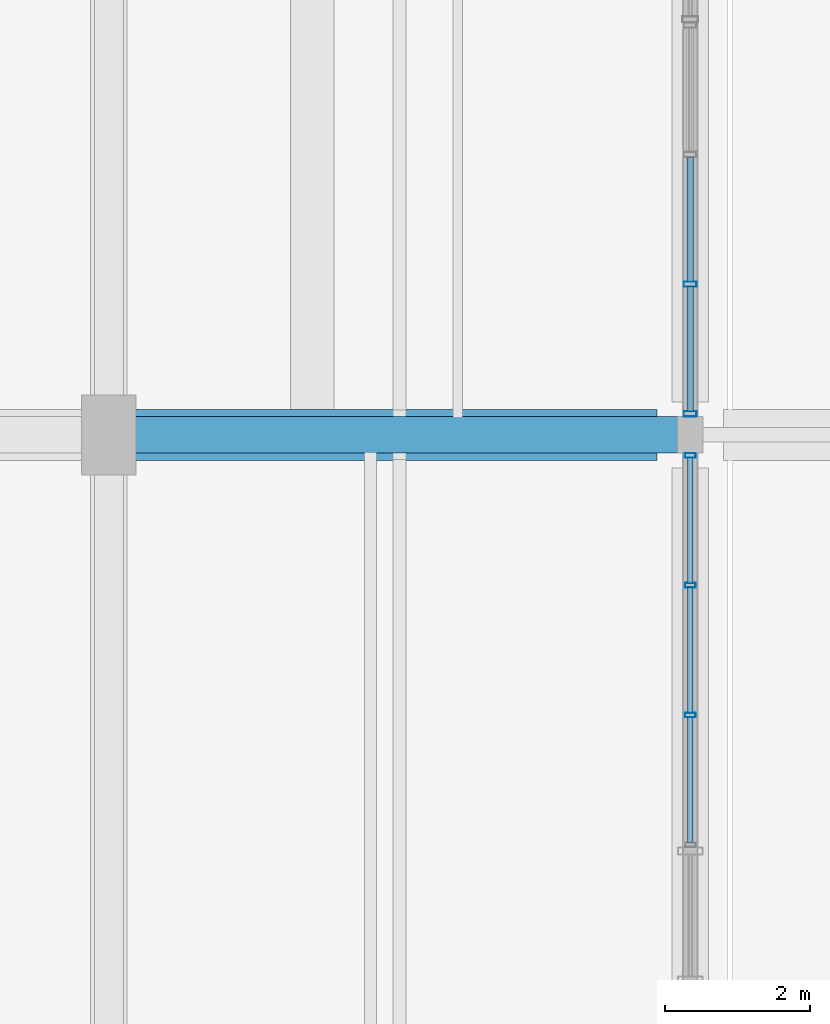
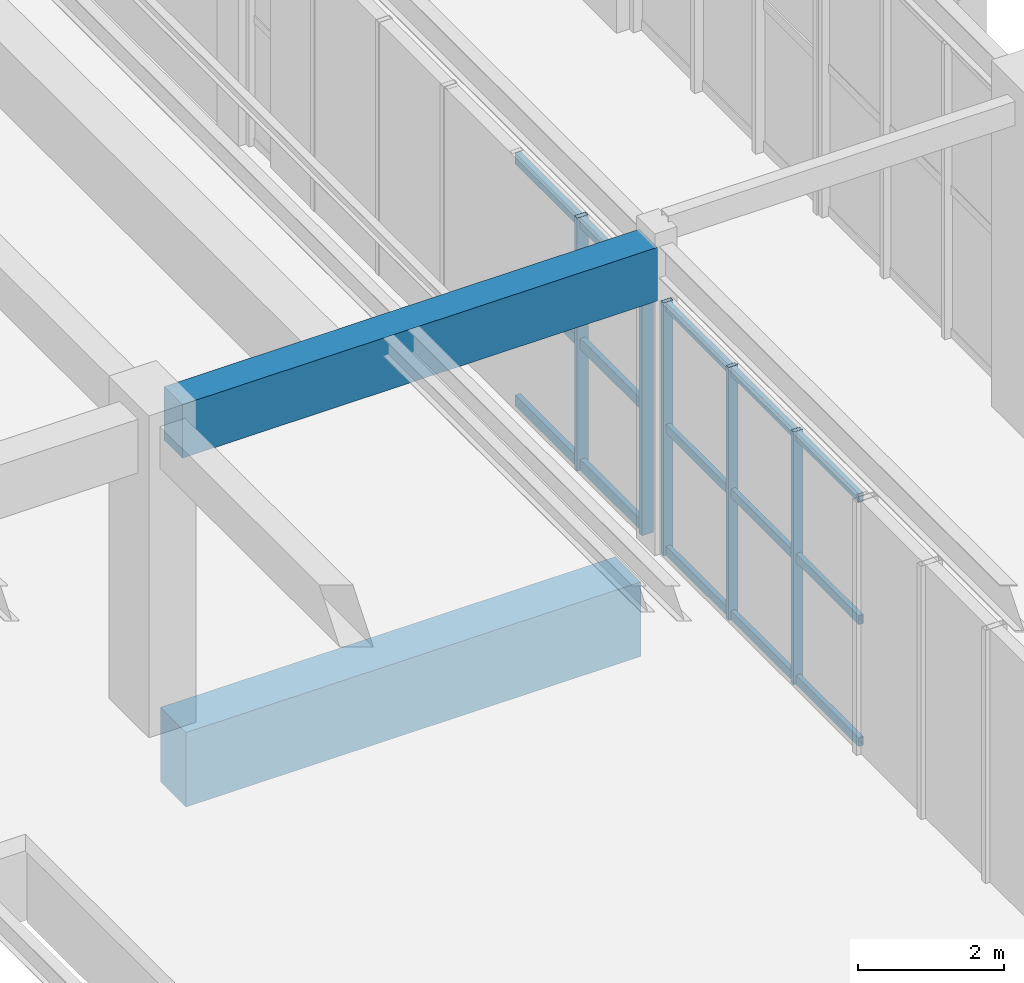
# One storey, part 49 of 113: 20 members, 2 beams, 2 elements without a shape of their own.
"""IFC4 building model written with IfcOpenShell, lengths in metres."""

from ifc_helpers import new_model, si_unit, direction, frame, origin, origin_2d, place, context, subcontext, project, spatial, rectangle, hollow_rectangle, extrude, material, layer, layer_set, material_profile, profile_set, type_object, element, aggregate, save


model = new_model("IFC4")

# Units and contexts
model_context = context("Model", 3, precision=1e-05, world=origin(), true_north=direction((0.0, 1.0)))
body_context = subcontext(model_context, "Body", "Model", "MODEL_VIEW")
ifc_project = project(units=[si_unit("LENGTHUNIT", "METRE"), si_unit("AREAUNIT", "SQUARE_METRE"), si_unit("VOLUMEUNIT", "CUBIC_METRE"), si_unit("PLANEANGLEUNIT", "RADIAN"), si_unit("MASSUNIT", "GRAM", prefix="KILO"), si_unit("POWERUNIT", "WATT"), si_unit("THERMODYNAMICTEMPERATUREUNIT", "KELVIN")], contexts=[model_context])

# Site, building, storey
site_placement = place(None, origin())
site = spatial("IfcSite", under=ifc_project, at=site_placement, CompositionType="ELEMENT")
building_placement = place(site_placement, origin())
building = spatial("IfcBuilding", under=site, at=building_placement, Name="Kelmbourne Parkland Aquatics Centre", CompositionType="ELEMENT")
storey_placement = place(building_placement, origin())
storey = spatial("IfcBuildingStorey", under=building, at=storey_placement, Name="L00", CompositionType="ELEMENT", Elevation=0.0)

# Beams
ifc_material_1 = material(Name="Concrete C40/50", Category="concrete")
ifc_material_profile_1 = material_profile(ifc_material_1, rectangle(XDim=0.5, YDim=0.89990234375, at=origin_2d()), Name="RC 500x900")
ifc_profile_set_1 = profile_set([ifc_material_profile_1], Name="Concrete C40/50")
beam_type_1 = type_object("IfcBeamType", Name="BM-G03", PredefinedType="BEAM", material=ifc_profile_set_1)
beam_1_placement = place(storey_placement, frame((32.330078125, 69.199951171875, 4.7099609375), z_axis=(1.0, 0.0, 0.0), x_axis=(0.0, 1.0, 0.0)))
element("IfcBeam", 1, at=beam_1_placement, inside=storey, type_object=beam_type_1, Name="Primary girder E-F Grid 10 (L01)", PredefinedType="BEAM", context=body_context, shape_type="SweptSolid", body=[
    extrude(rectangle(XDim=0.5, YDim=0.89990234375, at=origin_2d()), origin(), (0.0, 0.0, 1.0), 7.5400390625),
])
ifc_material_2 = material(Name="Concrete C50/60", Category="concrete")
ifc_material_profile_2 = material_profile(ifc_material_2, rectangle(XDim=0.699951171875, YDim=1.25, at=origin_2d()), Name="RC 700x1250")
ifc_profile_set_2 = profile_set([ifc_material_profile_2], Name="Concrete C50/60")
beam_type_2 = type_object("IfcBeamType", Name="BM-G08", PredefinedType="BEAM", material=ifc_profile_set_2)
beam_2_placement = place(storey_placement, frame((32.330078125, 69.199951171875, -0.905029296875), z_axis=(1.0, 0.0, 0.0), x_axis=(0.0, 1.0, 0.0)))
element("IfcBeam", 2, at=beam_2_placement, inside=storey, type_object=beam_type_2, Name="Primary girder E-F Grid 10 (L00)", PredefinedType="BEAM", context=body_context, shape_type="SweptSolid", body=[
    extrude(rectangle(XDim=0.699951171875, YDim=1.25, at=origin_2d()), origin(), (0.0, 0.0, 1.0), 7.21484375),
])

# Curtain wall, members
ifc_material_3 = material(Name="Thermally broken anodised aluminium framing", Category="aluminium")
ifc_layer_1 = layer(ifc_material_3, 0.179931640625)
ifc_layer_set_1 = layer_set([ifc_layer_1], Name="Thermally broken anodised aluminium framing")
curtain_wall_type_1 = type_object("IfcCurtainWallType", Name="CW-04", PredefinedType="NOTDEFINED", material=ifc_layer_set_1)
curtain_wall_1_placement = place(storey_placement, origin())
curtain_wall_1 = element("IfcCurtainWall", 3, at=curtain_wall_1_placement, inside=storey, type_object=curtain_wall_type_1, Name="Facade curtain wall CW-L00-220", PredefinedType="NOTDEFINED")
ifc_material_profile_3 = material_profile(ifc_material_3, hollow_rectangle(XDim=0.06494140625, YDim=0.14990234375, WallThickness=0.00390625, at=origin_2d()), Name="CW-M 65x150")
ifc_profile_set_3 = profile_set([ifc_material_profile_3], Name="Thermally broken anodised aluminium framing")
member_type_1 = type_object("IfcMemberType", Name="MB-MUL-1", PredefinedType="MULLION", material=ifc_profile_set_3)
member_1_placement = place(storey_placement, frame((40.0, 65.343505859375, 0.0), z_axis=(0.0, 0.0, 1.0), x_axis=(0.0, 1.0, 0.0)))
member_1 = element("IfcMember", 4, at=member_1_placement, type_object=member_type_1, Name="CW-L00-220 mullion 1", PredefinedType="MULLION", context=body_context, shape_type="SweptSolid", body=[
    extrude(hollow_rectangle(XDim=0.06494140625, YDim=0.14990234375, WallThickness=0.00390625, at=origin_2d()), origin(), (0.0, 0.0, 1.0), 4.2451171875),
])
member_2_placement = place(storey_placement, frame((40.0, 67.12939453125, 0.0), z_axis=(0.0, 0.0, 1.0), x_axis=(0.0, 1.0, 0.0)))
member_2 = element("IfcMember", 5, at=member_2_placement, type_object=member_type_1, Name="CW-L00-220 mullion 2", PredefinedType="MULLION", context=body_context, shape_type="SweptSolid", body=[
    extrude(hollow_rectangle(XDim=0.06494140625, YDim=0.14990234375, WallThickness=0.00390625, at=origin_2d()), origin(), (0.0, 0.0, 1.0), 4.2451171875),
])
member_3_placement = place(storey_placement, frame((40.0, 68.91552734375, 0.0), z_axis=(0.0, 0.0, 1.0), x_axis=(0.0, 1.0, 0.0)))
member_3 = element("IfcMember", 6, at=member_3_placement, type_object=member_type_1, Name="CW-L00-220 mullion 3", PredefinedType="MULLION", context=body_context, shape_type="SweptSolid", body=[
    extrude(hollow_rectangle(XDim=0.06494140625, YDim=0.14990234375, WallThickness=0.00390625, at=origin_2d()), origin(), (0.0, 0.0, 1.0), 4.2451171875),
])

ifc_layer_2 = layer(ifc_material_3, 0.179931640625)
ifc_layer_set_2 = layer_set([ifc_layer_2], Name="Thermally broken anodised aluminium framing")
curtain_wall_type_2 = type_object("IfcCurtainWallType", Name="CW-05", PredefinedType="NOTDEFINED", material=ifc_layer_set_2)
curtain_wall_2_placement = place(storey_placement, origin())
curtain_wall_2 = element("IfcCurtainWall", 7, at=curtain_wall_2_placement, inside=storey, type_object=curtain_wall_type_2, Name="Facade curtain wall CW-L00-221", PredefinedType="NOTDEFINED")
ifc_material_profile_4 = material_profile(ifc_material_3, hollow_rectangle(XDim=0.074951171875, YDim=0.179931640625, WallThickness=0.00439453125, at=origin_2d()), Name="CW-M 75x180")
ifc_profile_set_4 = profile_set([ifc_material_profile_4], Name="Thermally broken anodised aluminium framing")
member_type_2 = type_object("IfcMemberType", Name="MB-MUL-2", PredefinedType="MULLION", material=ifc_profile_set_4)
member_4_placement = place(storey_placement, frame((40.0, 69.489501953125, 0.0), z_axis=(0.0, 0.0, 1.0), x_axis=(0.0, 1.0, 0.0)))
member_4 = element("IfcMember", 8, at=member_4_placement, type_object=member_type_2, Name="CW-L00-221 mullion 0", PredefinedType="MULLION", context=body_context, shape_type="SweptSolid", body=[
    extrude(hollow_rectangle(XDim=0.074951171875, YDim=0.179931640625, WallThickness=0.00439453125, at=origin_2d()), origin(), (0.0, 0.0, 1.0), 4.2451171875),
])
member_5_placement = place(storey_placement, frame((40.0, 71.272216796875, 0.0), z_axis=(0.0, 0.0, 1.0), x_axis=(0.0, 1.0, 0.0)))
member_5 = element("IfcMember", 9, at=member_5_placement, type_object=member_type_2, Name="CW-L00-221 mullion 1", PredefinedType="MULLION", context=body_context, shape_type="SweptSolid", body=[
    extrude(hollow_rectangle(XDim=0.074951171875, YDim=0.179931640625, WallThickness=0.00439453125, at=origin_2d()), origin(), (0.0, 0.0, 1.0), 4.2451171875),
])

# Member
ifc_material_profile_5 = material_profile(ifc_material_3, hollow_rectangle(XDim=0.074951171875, YDim=0.14990234375, WallThickness=0.00390625, at=origin_2d()), Name="CW-T 75x150")
ifc_profile_set_5 = profile_set([ifc_material_profile_5], Name="Thermally broken anodised aluminium framing")
member_type_3 = type_object("IfcMemberType", Name="MB-TRN-2", PredefinedType="USERDEFINED", material=ifc_profile_set_5)
member_6_placement = place(storey_placement, frame((40.0, 63.5859375, 0.077880859375), z_axis=(0.0, 1.0, 0.0), x_axis=(-1.0, 0.0, 0.0)))
member_6 = element("IfcMember", 10, at=member_6_placement, type_object=member_type_3, Name="CW-L00-220 transom 0-0", ObjectType="TRANSOM", PredefinedType="USERDEFINED", context=body_context, shape_type="SweptSolid", body=[
    extrude(hollow_rectangle(XDim=0.074951171875, YDim=0.14990234375, WallThickness=0.00390625, at=origin_2d()), origin(), (0.0, 0.0, 1.0), 1.72900390625),
])

member_7_placement = place(storey_placement, frame((40.0, 65.3720703125, 0.077880859375), z_axis=(0.0, 1.0, 0.0), x_axis=(-1.0, 0.0, 0.0)))
member_7 = element("IfcMember", 11, at=member_7_placement, type_object=member_type_3, Name="CW-L00-220 transom 0-1", ObjectType="TRANSOM", PredefinedType="USERDEFINED", context=body_context, shape_type="SweptSolid", body=[
    extrude(hollow_rectangle(XDim=0.074951171875, YDim=0.14990234375, WallThickness=0.00390625, at=origin_2d()), origin(), (0.0, 0.0, 1.0), 1.72900390625),
])

member_8_placement = place(storey_placement, frame((40.0, 67.157958984375, 0.077880859375), z_axis=(0.0, 1.0, 0.0), x_axis=(-1.0, 0.0, 0.0)))
member_8 = element("IfcMember", 12, at=member_8_placement, type_object=member_type_3, Name="CW-L00-220 transom 0-2", ObjectType="TRANSOM", PredefinedType="USERDEFINED", context=body_context, shape_type="SweptSolid", body=[
    extrude(hollow_rectangle(XDim=0.074951171875, YDim=0.14990234375, WallThickness=0.00390625, at=origin_2d()), origin(), (0.0, 0.0, 1.0), 1.72900390625),
])

member_9_placement = place(storey_placement, frame((40.0, 63.5859375, 2.12255859375), z_axis=(0.0, 1.0, 0.0), x_axis=(-1.0, 0.0, 0.0)))
member_9 = element("IfcMember", 13, at=member_9_placement, type_object=member_type_3, Name="CW-L00-220 transom 1-0", ObjectType="TRANSOM", PredefinedType="USERDEFINED", context=body_context, shape_type="SweptSolid", body=[
    extrude(hollow_rectangle(XDim=0.074951171875, YDim=0.14990234375, WallThickness=0.00390625, at=origin_2d()), origin(), (0.0, 0.0, 1.0), 1.72900390625),
])

member_10_placement = place(storey_placement, frame((40.0, 65.3720703125, 2.12255859375), z_axis=(0.0, 1.0, 0.0), x_axis=(-1.0, 0.0, 0.0)))
member_10 = element("IfcMember", 14, at=member_10_placement, type_object=member_type_3, Name="CW-L00-220 transom 1-1", ObjectType="TRANSOM", PredefinedType="USERDEFINED", context=body_context, shape_type="SweptSolid", body=[
    extrude(hollow_rectangle(XDim=0.074951171875, YDim=0.14990234375, WallThickness=0.00390625, at=origin_2d()), origin(), (0.0, 0.0, 1.0), 1.72900390625),
])

member_11_placement = place(storey_placement, frame((40.0, 67.157958984375, 2.12255859375), z_axis=(0.0, 1.0, 0.0), x_axis=(-1.0, 0.0, 0.0)))
member_11 = element("IfcMember", 15, at=member_11_placement, type_object=member_type_3, Name="CW-L00-220 transom 1-2", ObjectType="TRANSOM", PredefinedType="USERDEFINED", context=body_context, shape_type="SweptSolid", body=[
    extrude(hollow_rectangle(XDim=0.074951171875, YDim=0.14990234375, WallThickness=0.00390625, at=origin_2d()), origin(), (0.0, 0.0, 1.0), 1.72900390625),
])

member_12_placement = place(storey_placement, frame((40.0, 63.5859375, 4.1669921875), z_axis=(0.0, 1.0, 0.0), x_axis=(-1.0, 0.0, 0.0)))
member_12 = element("IfcMember", 16, at=member_12_placement, type_object=member_type_3, Name="CW-L00-220 transom 2-0", ObjectType="TRANSOM", PredefinedType="USERDEFINED", context=body_context, shape_type="SweptSolid", body=[
    extrude(hollow_rectangle(XDim=0.074951171875, YDim=0.14990234375, WallThickness=0.00390625, at=origin_2d()), origin(), (0.0, 0.0, 1.0), 1.72900390625),
])

member_13_placement = place(storey_placement, frame((40.0, 65.3720703125, 4.1669921875), z_axis=(0.0, 1.0, 0.0), x_axis=(-1.0, 0.0, 0.0)))
member_13 = element("IfcMember", 17, at=member_13_placement, type_object=member_type_3, Name="CW-L00-220 transom 2-1", ObjectType="TRANSOM", PredefinedType="USERDEFINED", context=body_context, shape_type="SweptSolid", body=[
    extrude(hollow_rectangle(XDim=0.074951171875, YDim=0.14990234375, WallThickness=0.00390625, at=origin_2d()), origin(), (0.0, 0.0, 1.0), 1.72900390625),
])

member_14_placement = place(storey_placement, frame((40.0, 67.157958984375, 4.1669921875), z_axis=(0.0, 1.0, 0.0), x_axis=(-1.0, 0.0, 0.0)))
member_14 = element("IfcMember", 18, at=member_14_placement, type_object=member_type_3, Name="CW-L00-220 transom 2-2", ObjectType="TRANSOM", PredefinedType="USERDEFINED", context=body_context, shape_type="SweptSolid", body=[
    extrude(hollow_rectangle(XDim=0.074951171875, YDim=0.14990234375, WallThickness=0.00390625, at=origin_2d()), origin(), (0.0, 0.0, 1.0), 1.72900390625),
])

aggregate(curtain_wall_1, [member_1, member_2, member_3, member_6, member_7, member_8, member_9, member_10, member_11, member_12, member_13, member_14])

ifc_material_profile_6 = material_profile(ifc_material_3, hollow_rectangle(XDim=0.0849609375, YDim=0.179931640625, WallThickness=0.00439453125, at=origin_2d()), Name="CW-T 85x180")
ifc_profile_set_6 = profile_set([ifc_material_profile_6], Name="Thermally broken anodised aluminium framing")
member_type_4 = type_object("IfcMemberType", Name="MB-TRN-3", PredefinedType="USERDEFINED", material=ifc_profile_set_6)
member_15_placement = place(storey_placement, frame((40.0, 69.52294921875, 0.093017578125), z_axis=(0.0, 1.0, 0.0), x_axis=(-1.0, 0.0, 0.0)))
member_15 = element("IfcMember", 19, at=member_15_placement, type_object=member_type_4, Name="CW-L00-221 transom 0-0", ObjectType="TRANSOM", PredefinedType="USERDEFINED", context=body_context, shape_type="SweptSolid", body=[
    extrude(hollow_rectangle(XDim=0.0849609375, YDim=0.179931640625, WallThickness=0.00439453125, at=origin_2d()), origin(), (0.0, 0.0, 1.0), 1.7158203125),
])

member_16_placement = place(storey_placement, frame((40.0, 71.3056640625, 0.093017578125), z_axis=(0.0, 1.0, 0.0), x_axis=(-1.0, 0.0, 0.0)))
member_16 = element("IfcMember", 20, at=member_16_placement, type_object=member_type_4, Name="CW-L00-221 transom 0-1", ObjectType="TRANSOM", PredefinedType="USERDEFINED", context=body_context, shape_type="SweptSolid", body=[
    extrude(hollow_rectangle(XDim=0.0849609375, YDim=0.179931640625, WallThickness=0.00439453125, at=origin_2d()), origin(), (0.0, 0.0, 1.0), 1.715576171875),
])

member_17_placement = place(storey_placement, frame((40.0, 69.52294921875, 2.12255859375), z_axis=(0.0, 1.0, 0.0), x_axis=(-1.0, 0.0, 0.0)))
member_17 = element("IfcMember", 21, at=member_17_placement, type_object=member_type_4, Name="CW-L00-221 transom 1-0", ObjectType="TRANSOM", PredefinedType="USERDEFINED", context=body_context, shape_type="SweptSolid", body=[
    extrude(hollow_rectangle(XDim=0.0849609375, YDim=0.179931640625, WallThickness=0.00439453125, at=origin_2d()), origin(), (0.0, 0.0, 1.0), 1.7158203125),
])

member_18_placement = place(storey_placement, frame((40.0, 71.3056640625, 2.12255859375), z_axis=(0.0, 1.0, 0.0), x_axis=(-1.0, 0.0, 0.0)))
member_18 = element("IfcMember", 22, at=member_18_placement, type_object=member_type_4, Name="CW-L00-221 transom 1-1", ObjectType="TRANSOM", PredefinedType="USERDEFINED", context=body_context, shape_type="SweptSolid", body=[
    extrude(hollow_rectangle(XDim=0.0849609375, YDim=0.179931640625, WallThickness=0.00439453125, at=origin_2d()), origin(), (0.0, 0.0, 1.0), 1.715576171875),
])

member_19_placement = place(storey_placement, frame((40.0, 69.52294921875, 4.152099609375), z_axis=(0.0, 1.0, 0.0), x_axis=(-1.0, 0.0, 0.0)))
member_19 = element("IfcMember", 23, at=member_19_placement, type_object=member_type_4, Name="CW-L00-221 transom 2-0", ObjectType="TRANSOM", PredefinedType="USERDEFINED", context=body_context, shape_type="SweptSolid", body=[
    extrude(hollow_rectangle(XDim=0.0849609375, YDim=0.179931640625, WallThickness=0.00439453125, at=origin_2d()), origin(), (0.0, 0.0, 1.0), 1.7158203125),
])

member_20_placement = place(storey_placement, frame((40.0, 71.3056640625, 4.152099609375), z_axis=(0.0, 1.0, 0.0), x_axis=(-1.0, 0.0, 0.0)))
member_20 = element("IfcMember", 24, at=member_20_placement, type_object=member_type_4, Name="CW-L00-221 transom 2-1", ObjectType="TRANSOM", PredefinedType="USERDEFINED", context=body_context, shape_type="SweptSolid", body=[
    extrude(hollow_rectangle(XDim=0.0849609375, YDim=0.179931640625, WallThickness=0.00439453125, at=origin_2d()), origin(), (0.0, 0.0, 1.0), 1.715576171875),
])

aggregate(curtain_wall_2, [member_4, member_5, member_15, member_16, member_17, member_18, member_19, member_20])

save(model, "model.ifc")
